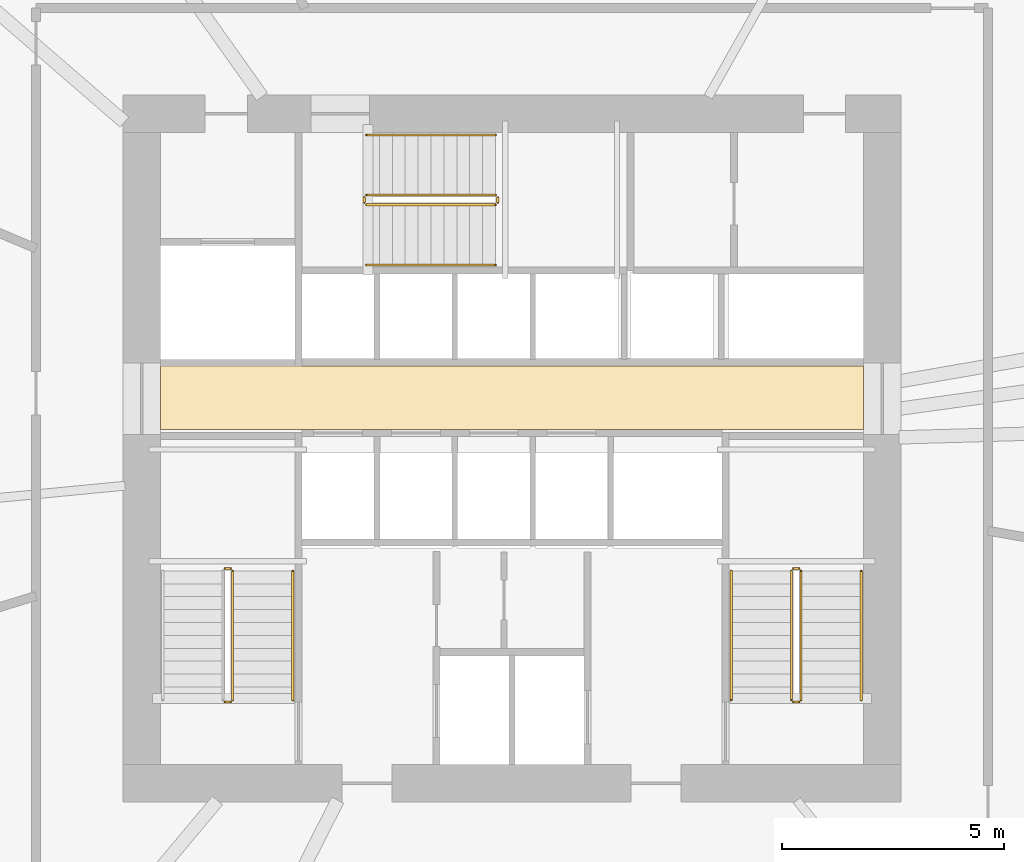
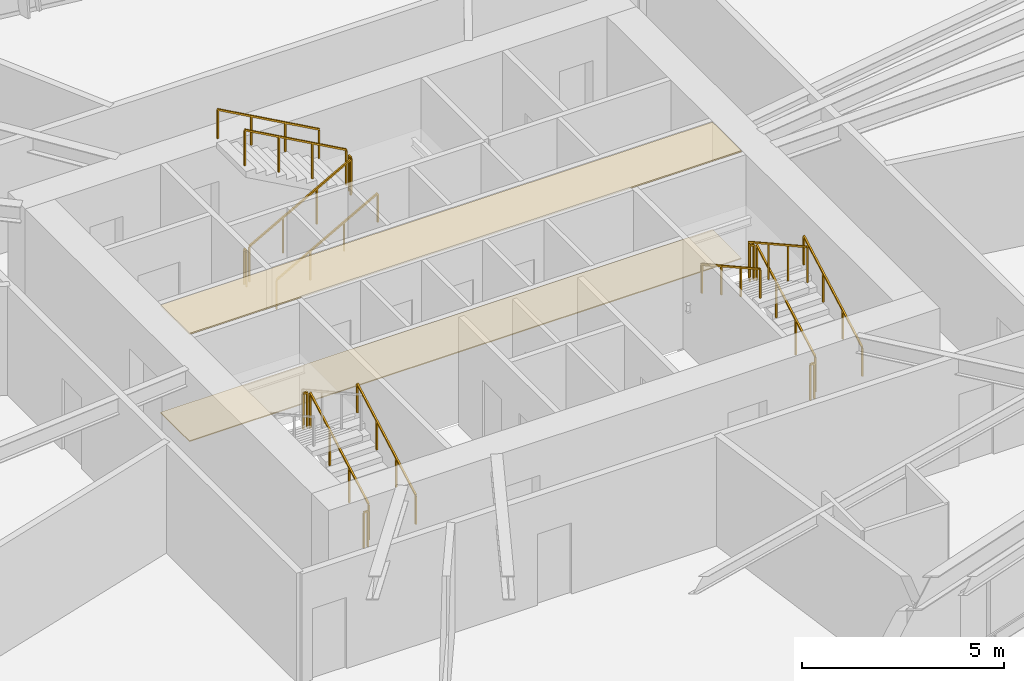
# One storey, part 20 of 21: 16 railings, 2 coverings.
"""IFC4 building model written with IfcOpenShell, lengths in metres."""

from ifc_helpers import new_model, si_unit, direction, frame, origin, origin_2d, place, context, subcontext, project, spatial, polyline, rectangle, outline, extrude, material, layer, layer_set, type_object, element, save


model = new_model("IFC4")

# Units and contexts
model_context = context("Model", 3, precision=1e-05, world=origin(), true_north=direction((0.0, 1.0)))
body_context = subcontext(model_context, "Body", "Model", "MODEL_VIEW")
ifc_project = project(units=[si_unit("LENGTHUNIT", "METRE"), si_unit("AREAUNIT", "SQUARE_METRE"), si_unit("VOLUMEUNIT", "CUBIC_METRE"), si_unit("PLANEANGLEUNIT", "RADIAN"), si_unit("MASSUNIT", "GRAM", prefix="KILO")], contexts=[model_context])

# Site, building, storey
site_placement = place(None, origin())
site = spatial("IfcSite", under=ifc_project, at=site_placement, CompositionType="ELEMENT")
building_placement = place(site_placement, origin())
building = spatial("IfcBuilding", under=site, at=building_placement, Name="Olszyna Solenne Hotel", CompositionType="ELEMENT")
storey_placement = place(building_placement, frame((0.0, 0.0, 54.14990234375)))
storey = spatial("IfcBuildingStorey", under=building, at=storey_placement, Name="L13", CompositionType="ELEMENT", Elevation=54.14990234375)

# Coverings
ifc_material_1 = material(Name="Mineral wool acoustic ceiling")
ifc_layer_1 = layer(ifc_material_1, 0.0400390625, Name="Mineral wool acoustic ceiling")
ifc_layer_set_1 = layer_set([ifc_layer_1], Name="Mineral wool acoustic ceiling")
covering_type_1 = type_object("IfcCoveringType", Name="CL-AC1", PredefinedType="CEILING", material=ifc_layer_set_1)
covering_1_placement = place(storey_placement, frame((0.0, 0.0, 3.239990234375)))
element("IfcCovering", 1, at=covering_1_placement, inside=storey, type_object=covering_type_1, Name="Lift lobby acoustic tile ceiling CL-L13-01", PredefinedType="CEILING", context=body_context, shape_type="SweptSolid", body=[
    extrude(outline(polyline([(30.10009765625, 27.030029296875), (45.89990234375, 27.030029296875), (45.89990234375, 28.4599609375), (30.10009765625, 28.4599609375), (30.10009765625, 27.030029296875)])), origin(), (0.0, 0.0, 1.0), 0.0400390625),
])
ifc_material_2 = material(Name="Ceramic floor tile")
ifc_layer_2 = layer(ifc_material_2, 0.030029296875, Name="Ceramic floor tile")
ifc_layer_set_2 = layer_set([ifc_layer_2], Name="Ceramic floor tile")
covering_type_2 = type_object("IfcCoveringType", Name="FL-TL1", PredefinedType="FLOORING", material=ifc_layer_set_2)
covering_2_placement = place(storey_placement, origin())
element("IfcCovering", 2, at=covering_2_placement, inside=storey, type_object=covering_type_2, Name="Lift lobby stoneware floor finish FLR-L13-01", PredefinedType="FLOORING", context=body_context, shape_type="SweptSolid", body=[
    extrude(outline(polyline([(30.10009765625, 27.030029296875), (45.89990234375, 27.030029296875), (45.89990234375, 28.4599609375), (30.10009765625, 28.4599609375), (30.10009765625, 27.030029296875)])), origin(), (0.0, 0.0, 1.0), 0.030029296875),
])

# Railings
ifc_material_3 = material(Name="Anodised bronze aluminium", Category="aluminium")
railing_type_1 = type_object("IfcRailingType", Name="GR-110", PredefinedType="BALUSTRADE", material=ifc_material_3)
railing_1_placement = place(storey_placement, frame((31.719970703125, 20.949951171875, 0.161376953125)))
element("IfcRailing", 3, at=railing_1_placement, inside=storey, type_object=railing_type_1, Name="L13 ST1 stair guard 1", PredefinedType="BALUSTRADE", context=body_context, shape_type="SweptSolid", body=[
    extrude(rectangle(XDim=0.048095703125, YDim=0.048095703125, at=origin_2d()), frame((0.0, 0.0, 1.076171875), z_axis=(0.0, 0.873827439584, 0.48623616261), x_axis=(-1.0, 0.0, 0.0)), (0.0, 0.0, 1.0), 3.31884765625),
    extrude(rectangle(XDim=0.0419921875, YDim=0.0419921875, at=origin_2d()), origin(), (0.0, 0.0, 1.0), 1.052001953125),
    extrude(rectangle(XDim=0.0419921875, YDim=0.0419921875, at=origin_2d()), frame((0.0, 0.966796875, 0.537841796875)), (0.0, 0.0, 1.0), 1.052001953125),
    extrude(rectangle(XDim=0.0419921875, YDim=0.0419921875, at=origin_2d()), frame((0.0, 1.933349609375, 1.075927734375)), (0.0, 0.0, 1.0), 1.052001953125),
    extrude(rectangle(XDim=0.0419921875, YDim=0.0419921875, at=origin_2d()), frame((0.0, 2.900146484375, 1.61376953125)), (0.0, 0.0, 1.0), 1.052001953125),
])
for number, where, name in (
    (4, (31.669921875, 23.89990234375, 1.775146484375), "L13 ST1 stair guard 2"),
    (5, (31.669921875, 20.89990234375, 0.0), "L13 ST1 stair guard 4"),
):
    element("IfcRailing", number, at=place(storey_placement, frame(where)), inside=storey, type_object=railing_type_1, Name=name, PredefinedType="BALUSTRADE", context=body_context, shape_type="SweptSolid", body=[
        extrude(rectangle(XDim=0.048095703125, YDim=0.048095703125, at=origin_2d()), frame((0.0, 0.0, 1.076171875), z_axis=(-1.0, 0.0, 0.0), x_axis=(0.0, -1.0, 0.0)), (0.0, 0.0, 1.0), 0.119873046875),
        extrude(rectangle(XDim=0.0419921875, YDim=0.0419921875, at=origin_2d()), origin(), (0.0, 0.0, 1.0), 1.052001953125),
        extrude(rectangle(XDim=0.0419921875, YDim=0.0419921875, at=origin_2d()), frame((-0.119873046875, 0.0, 0.0)), (0.0, 0.0, 1.0), 1.052001953125),
    ])
railing_2_placement = place(storey_placement, frame((44.5, 20.949951171875, 0.161376953125)))
element("IfcRailing", 6, at=railing_2_placement, inside=storey, type_object=railing_type_1, Name="L13 ST2 stair guard 1", PredefinedType="BALUSTRADE", context=body_context, shape_type="SweptSolid", body=[
    extrude(rectangle(XDim=0.048095703125, YDim=0.048095703125, at=origin_2d()), frame((0.0, 0.0, 1.076171875), z_axis=(0.0, 0.873827439584, 0.48623616261), x_axis=(-1.0, 0.0, 0.0)), (0.0, 0.0, 1.0), 3.31884765625),
    extrude(rectangle(XDim=0.0419921875, YDim=0.0419921875, at=origin_2d()), origin(), (0.0, 0.0, 1.0), 1.052001953125),
    extrude(rectangle(XDim=0.0419921875, YDim=0.0419921875, at=origin_2d()), frame((0.0, 0.966796875, 0.537841796875)), (0.0, 0.0, 1.0), 1.052001953125),
    extrude(rectangle(XDim=0.0419921875, YDim=0.0419921875, at=origin_2d()), frame((0.0, 1.933349609375, 1.075927734375)), (0.0, 0.0, 1.0), 1.052001953125),
    extrude(rectangle(XDim=0.0419921875, YDim=0.0419921875, at=origin_2d()), frame((0.0, 2.900146484375, 1.61376953125)), (0.0, 0.0, 1.0), 1.052001953125),
])
railing_3_placement = place(storey_placement, frame((44.449951171875, 23.89990234375, 1.775146484375)))
element("IfcRailing", 7, at=railing_3_placement, inside=storey, type_object=railing_type_1, Name="L13 ST2 stair guard 2", PredefinedType="BALUSTRADE", context=body_context, shape_type="SweptSolid", body=[
    extrude(rectangle(XDim=0.048095703125, YDim=0.048095703125, at=origin_2d()), frame((0.0, 0.0, 1.076171875), z_axis=(-1.0, 0.0, 0.0), x_axis=(0.0, -1.0, 0.0)), (0.0, 0.0, 1.0), 0.119873046875),
    extrude(rectangle(XDim=0.0419921875, YDim=0.0419921875, at=origin_2d()), origin(), (0.0, 0.0, 1.0), 1.052001953125),
    extrude(rectangle(XDim=0.0419921875, YDim=0.0419921875, at=origin_2d()), frame((-0.119873046875, 0.0, 0.0)), (0.0, 0.0, 1.0), 1.052001953125),
])
railing_4_placement = place(storey_placement, frame((44.280029296875, 23.85009765625, 1.9365234375)))
element("IfcRailing", 8, at=railing_4_placement, inside=storey, type_object=railing_type_1, Name="L13 ST2 stair guard 3", PredefinedType="BALUSTRADE", context=body_context, shape_type="SweptSolid", body=[
    extrude(rectangle(XDim=0.048095703125, YDim=0.048095703125, at=origin_2d()), frame((0.0, 0.0, 1.076171875), z_axis=(0.0, -0.873858693841, 0.486179990537), x_axis=(1.0, 0.0, 0.0)), (0.0, 0.0, 1.0), 3.31884765625),
    extrude(rectangle(XDim=0.0419921875, YDim=0.0419921875, at=origin_2d()), origin(), (0.0, 0.0, 1.0), 1.052001953125),
    extrude(rectangle(XDim=0.0419921875, YDim=0.0419921875, at=origin_2d()), frame((0.0, -0.966796875, 0.537841796875)), (0.0, 0.0, 1.0), 1.052001953125),
    extrude(rectangle(XDim=0.0419921875, YDim=0.0419921875, at=origin_2d()), frame((0.0, -1.933349609375, 1.07568359375)), (0.0, 0.0, 1.0), 1.052001953125),
    extrude(rectangle(XDim=0.0419921875, YDim=0.0419921875, at=origin_2d()), frame((0.0, -2.900146484375, 1.613525390625)), (0.0, 0.0, 1.0), 1.052001953125),
])
railing_5_placement = place(storey_placement, frame((44.449951171875, 20.89990234375, 0.0)))
element("IfcRailing", 9, at=railing_5_placement, inside=storey, type_object=railing_type_1, Name="L13 ST2 stair guard 4", PredefinedType="BALUSTRADE", context=body_context, shape_type="SweptSolid", body=[
    extrude(rectangle(XDim=0.048095703125, YDim=0.048095703125, at=origin_2d()), frame((0.0, 0.0, 1.076171875), z_axis=(-1.0, 0.0, 0.0), x_axis=(0.0, -1.0, 0.0)), (0.0, 0.0, 1.0), 0.119873046875),
    extrude(rectangle(XDim=0.0419921875, YDim=0.0419921875, at=origin_2d()), origin(), (0.0, 0.0, 1.0), 1.052001953125),
    extrude(rectangle(XDim=0.0419921875, YDim=0.0419921875, at=origin_2d()), frame((-0.119873046875, 0.0, 0.0)), (0.0, 0.0, 1.0), 1.052001953125),
])
railing_6_placement = place(storey_placement, frame((34.72998046875, 32.080078125, 0.161376953125)))
element("IfcRailing", 10, at=railing_6_placement, inside=storey, type_object=railing_type_1, Name="L13 ST3 stair guard 1", PredefinedType="BALUSTRADE", context=body_context, shape_type="SweptSolid", body=[
    extrude(rectangle(XDim=0.048095703125, YDim=0.048095703125, at=origin_2d()), frame((0.0, 0.0, 1.076171875), z_axis=(0.873810046276, 0.0, 0.486267419253), x_axis=(0.0, 1.0, 0.0)), (0.0, 0.0, 1.0), 3.318603515625),
    extrude(rectangle(XDim=0.0419921875, YDim=0.0419921875, at=origin_2d()), origin(), (0.0, 0.0, 1.0), 1.052001953125),
    extrude(rectangle(XDim=0.0419921875, YDim=0.0419921875, at=origin_2d()), frame((0.966552734375, 0.0, 0.537841796875)), (0.0, 0.0, 1.0), 1.052001953125),
    extrude(rectangle(XDim=0.0419921875, YDim=0.0419921875, at=origin_2d()), frame((1.933349609375, 0.0, 1.075927734375)), (0.0, 0.0, 1.0), 1.052001953125),
    extrude(rectangle(XDim=0.0419921875, YDim=0.0419921875, at=origin_2d()), frame((2.89990234375, 0.0, 1.61376953125)), (0.0, 0.0, 1.0), 1.052001953125),
])
railing_7_placement = place(storey_placement, frame((37.679931640625, 32.1298828125, 1.775146484375)))
element("IfcRailing", 11, at=railing_7_placement, inside=storey, type_object=railing_type_1, Name="L13 ST3 stair guard 2", PredefinedType="BALUSTRADE", context=body_context, shape_type="SweptSolid", body=[
    extrude(rectangle(XDim=0.048095703125, YDim=0.048095703125, at=origin_2d()), frame((0.0, 0.0, 1.076171875), z_axis=(0.0, 1.0, 0.0), x_axis=(-1.0, 0.0, 0.0)), (0.0, 0.0, 1.0), 0.1201171875),
    extrude(rectangle(XDim=0.0419921875, YDim=0.0419921875, at=origin_2d()), origin(), (0.0, 0.0, 1.0), 1.052001953125),
    extrude(rectangle(XDim=0.0419921875, YDim=0.0419921875, at=origin_2d()), frame((0.0, 0.1201171875, 0.0)), (0.0, 0.0, 1.0), 1.052001953125),
])
railing_8_placement = place(storey_placement, frame((37.6298828125, 32.300048828125, 1.9365234375)))
element("IfcRailing", 12, at=railing_8_placement, inside=storey, type_object=railing_type_1, Name="L13 ST3 stair guard 3", PredefinedType="BALUSTRADE", context=body_context, shape_type="SweptSolid", body=[
    extrude(rectangle(XDim=0.048095703125, YDim=0.048095703125, at=origin_2d()), frame((0.0, 0.0, 1.076171875), z_axis=(-0.873841303929, 0.0, 0.486211245805), x_axis=(0.0, -1.0, 0.0)), (0.0, 0.0, 1.0), 3.318603515625),
    extrude(rectangle(XDim=0.0419921875, YDim=0.0419921875, at=origin_2d()), origin(), (0.0, 0.0, 1.0), 1.052001953125),
    extrude(rectangle(XDim=0.0419921875, YDim=0.0419921875, at=origin_2d()), frame((-0.966552734375, 0.0, 0.537841796875)), (0.0, 0.0, 1.0), 1.052001953125),
    extrude(rectangle(XDim=0.0419921875, YDim=0.0419921875, at=origin_2d()), frame((-1.933349609375, 0.0, 1.07568359375)), (0.0, 0.0, 1.0), 1.052001953125),
    extrude(rectangle(XDim=0.0419921875, YDim=0.0419921875, at=origin_2d()), frame((-2.89990234375, 0.0, 1.613525390625)), (0.0, 0.0, 1.0), 1.052001953125),
])
railing_9_placement = place(storey_placement, frame((34.679931640625, 32.1298828125, 0.0)))
element("IfcRailing", 13, at=railing_9_placement, inside=storey, type_object=railing_type_1, Name="L13 ST3 stair guard 4", PredefinedType="BALUSTRADE", context=body_context, shape_type="SweptSolid", body=[
    extrude(rectangle(XDim=0.048095703125, YDim=0.048095703125, at=origin_2d()), frame((0.0, 0.0, 1.076171875), z_axis=(0.0, 1.0, 0.0), x_axis=(-1.0, 0.0, 0.0)), (0.0, 0.0, 1.0), 0.1201171875),
    extrude(rectangle(XDim=0.0419921875, YDim=0.0419921875, at=origin_2d()), origin(), (0.0, 0.0, 1.0), 1.052001953125),
    extrude(rectangle(XDim=0.0419921875, YDim=0.0419921875, at=origin_2d()), frame((0.0, 0.1201171875, 0.0)), (0.0, 0.0, 1.0), 1.052001953125),
])
ifc_material_4 = material(Name="Steel S355J2", Category="steel")
railing_type_2 = type_object("IfcRailingType", Name="HR-090", PredefinedType="HANDRAIL", material=ifc_material_4)
for number, where, name in (
    (14, (33.070068359375, 20.949951171875, 0.161376953125), "L13 ST1 stair handrail 1"),
    (15, (45.85009765625, 20.949951171875, 0.161376953125), "L13 ST2 stair handrail 1"),
):
    element("IfcRailing", number, at=place(storey_placement, frame(where)), inside=storey, type_object=railing_type_2, Name=name, PredefinedType="HANDRAIL", context=body_context, shape_type="SweptSolid", body=[
        extrude(rectangle(XDim=0.048095703125, YDim=0.048095703125, at=origin_2d()), frame((0.0, 0.0, 0.8759765625), z_axis=(0.0, 0.873827439584, 0.48623616261), x_axis=(-1.0, 0.0, 0.0)), (0.0, 0.0, 1.0), 3.31884765625),
        extrude(rectangle(XDim=0.0419921875, YDim=0.0419921875, at=origin_2d()), origin(), (0.0, 0.0, 1.0), 0.851806640625),
        extrude(rectangle(XDim=0.0419921875, YDim=0.0419921875, at=origin_2d()), frame((0.0, 0.966796875, 0.537841796875)), (0.0, 0.0, 1.0), 0.851806640625),
        extrude(rectangle(XDim=0.0419921875, YDim=0.0419921875, at=origin_2d()), frame((0.0, 1.933349609375, 1.075927734375)), (0.0, 0.0, 1.0), 0.851806640625),
        extrude(rectangle(XDim=0.0419921875, YDim=0.0419921875, at=origin_2d()), frame((0.0, 2.900146484375, 1.61376953125)), (0.0, 0.0, 1.0), 0.851806640625),
    ])
railing_10_placement = place(storey_placement, frame((42.929931640625, 23.85009765625, 1.9365234375)))
element("IfcRailing", 16, at=railing_10_placement, inside=storey, type_object=railing_type_2, Name="L13 ST2 stair handrail 2", PredefinedType="HANDRAIL", context=body_context, shape_type="SweptSolid", body=[
    extrude(rectangle(XDim=0.048095703125, YDim=0.048095703125, at=origin_2d()), frame((0.0, 0.0, 0.8759765625), z_axis=(0.0, -0.873858693841, 0.486179990537), x_axis=(1.0, 0.0, 0.0)), (0.0, 0.0, 1.0), 3.31884765625),
    extrude(rectangle(XDim=0.0419921875, YDim=0.0419921875, at=origin_2d()), origin(), (0.0, 0.0, 1.0), 0.851806640625),
    extrude(rectangle(XDim=0.0419921875, YDim=0.0419921875, at=origin_2d()), frame((0.0, -0.966796875, 0.537841796875)), (0.0, 0.0, 1.0), 0.851806640625),
    extrude(rectangle(XDim=0.0419921875, YDim=0.0419921875, at=origin_2d()), frame((0.0, -1.933349609375, 1.07568359375)), (0.0, 0.0, 1.0), 0.851806640625),
    extrude(rectangle(XDim=0.0419921875, YDim=0.0419921875, at=origin_2d()), frame((0.0, -2.900146484375, 1.613525390625)), (0.0, 0.0, 1.0), 0.851806640625),
])
railing_11_placement = place(storey_placement, frame((34.72998046875, 30.72998046875, 0.161376953125)))
element("IfcRailing", 17, at=railing_11_placement, inside=storey, type_object=railing_type_2, Name="L13 ST3 stair handrail 1", PredefinedType="HANDRAIL", context=body_context, shape_type="SweptSolid", body=[
    extrude(rectangle(XDim=0.048095703125, YDim=0.048095703125, at=origin_2d()), frame((0.0, 0.0, 0.8759765625), z_axis=(0.873810046276, 0.0, 0.486267419253), x_axis=(0.0, 1.0, 0.0)), (0.0, 0.0, 1.0), 3.318603515625),
    extrude(rectangle(XDim=0.0419921875, YDim=0.0419921875, at=origin_2d()), origin(), (0.0, 0.0, 1.0), 0.851806640625),
    extrude(rectangle(XDim=0.0419921875, YDim=0.0419921875, at=origin_2d()), frame((0.966552734375, 0.0, 0.537841796875)), (0.0, 0.0, 1.0), 0.851806640625),
    extrude(rectangle(XDim=0.0419921875, YDim=0.0419921875, at=origin_2d()), frame((1.933349609375, 0.0, 1.075927734375)), (0.0, 0.0, 1.0), 0.851806640625),
    extrude(rectangle(XDim=0.0419921875, YDim=0.0419921875, at=origin_2d()), frame((2.89990234375, 0.0, 1.61376953125)), (0.0, 0.0, 1.0), 0.851806640625),
])
railing_12_placement = place(storey_placement, frame((37.6298828125, 33.64990234375, 1.9365234375)))
element("IfcRailing", 18, at=railing_12_placement, inside=storey, type_object=railing_type_2, Name="L13 ST3 stair handrail 2", PredefinedType="HANDRAIL", context=body_context, shape_type="SweptSolid", body=[
    extrude(rectangle(XDim=0.048095703125, YDim=0.048095703125, at=origin_2d()), frame((0.0, 0.0, 0.8759765625), z_axis=(-0.873841303929, 0.0, 0.486211245805), x_axis=(0.0, -1.0, 0.0)), (0.0, 0.0, 1.0), 3.318603515625),
    extrude(rectangle(XDim=0.0419921875, YDim=0.0419921875, at=origin_2d()), origin(), (0.0, 0.0, 1.0), 0.851806640625),
    extrude(rectangle(XDim=0.0419921875, YDim=0.0419921875, at=origin_2d()), frame((-0.966552734375, 0.0, 0.537841796875)), (0.0, 0.0, 1.0), 0.851806640625),
    extrude(rectangle(XDim=0.0419921875, YDim=0.0419921875, at=origin_2d()), frame((-1.933349609375, 0.0, 1.07568359375)), (0.0, 0.0, 1.0), 0.851806640625),
    extrude(rectangle(XDim=0.0419921875, YDim=0.0419921875, at=origin_2d()), frame((-2.89990234375, 0.0, 1.613525390625)), (0.0, 0.0, 1.0), 0.851806640625),
])

save(model, "model.ifc")
